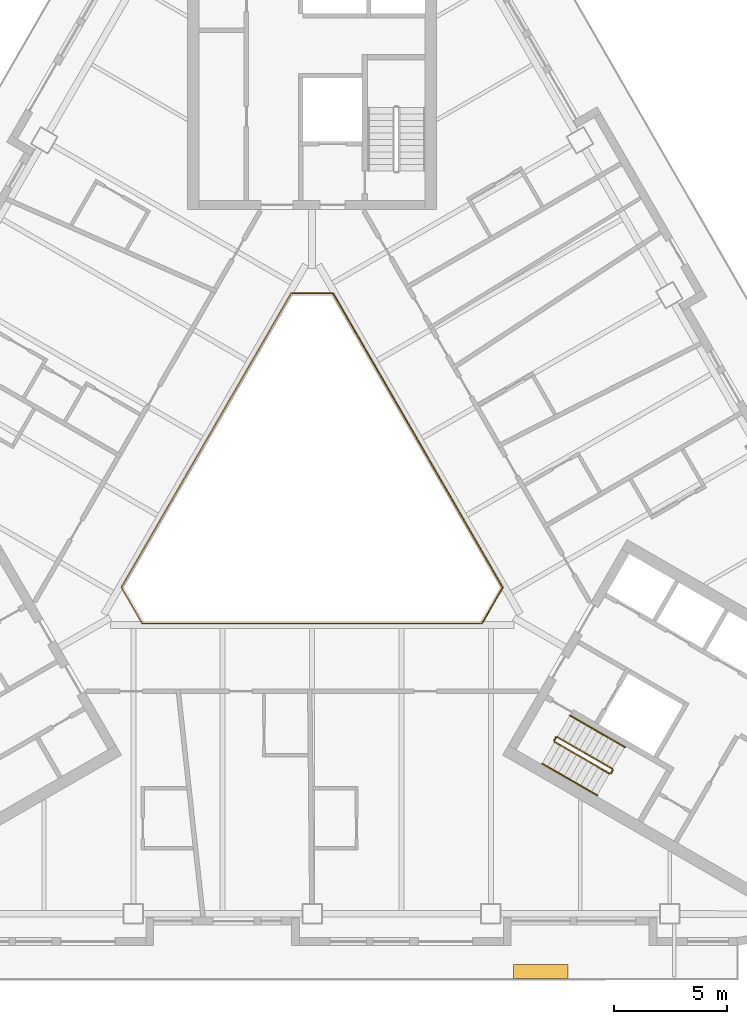
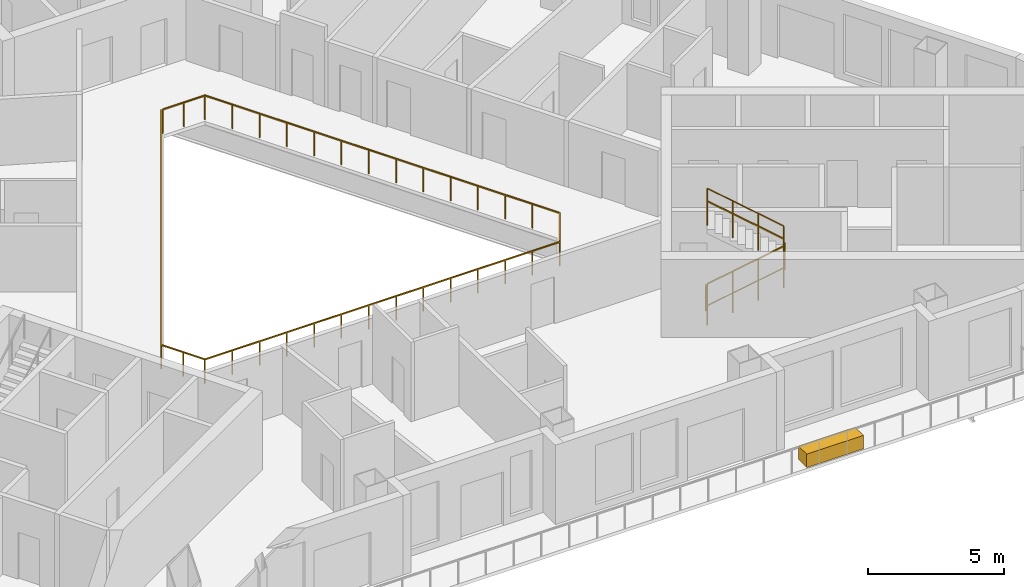
# One storey, part 12 of 14: 8 railings, 1 covering.
"""IFC4 building model written with IfcOpenShell, lengths in metres."""

from ifc_helpers import new_model, si_unit, direction, frame, origin, origin_2d, place, context, subcontext, project, spatial, rectangle, circle, extrude, material, type_object, element, save


model = new_model("IFC4")

# Units and contexts
model_context = context("Model", 3, precision=1e-05, world=origin(), true_north=direction((0.0, 1.0)))
body_context = subcontext(model_context, "Body", "Model", "MODEL_VIEW")
ifc_project = project(units=[si_unit("LENGTHUNIT", "METRE"), si_unit("AREAUNIT", "SQUARE_METRE"), si_unit("VOLUMEUNIT", "CUBIC_METRE"), si_unit("PLANEANGLEUNIT", "RADIAN"), si_unit("MASSUNIT", "GRAM", prefix="KILO")], contexts=[model_context])

# Site, building, storey
site_placement = place(None, origin())
site = spatial("IfcSite", under=ifc_project, at=site_placement, CompositionType="ELEMENT")
building_placement = place(site_placement, origin())
building = spatial("IfcBuilding", under=site, at=building_placement, Name="Apuvela Tower Hotel", CompositionType="ELEMENT")
storey_placement = place(building_placement, frame((0.0, 0.0, 116.800048828125)))
storey = spatial("IfcBuildingStorey", under=building, at=storey_placement, Name="L27", CompositionType="ELEMENT", Elevation=116.800048828125)

# Railings
ifc_material_1 = material(Name="Steel S275 balustrade", Category="steel")
railing_type_1 = type_object("IfcRailingType", Name="COR-GUARD-1100", PredefinedType="GUARDRAIL", material=ifc_material_1)
railing_1_placement = place(storey_placement, frame((10.718994140625, -10.63427734375, 0.168212890625)))
element("IfcRailing", 1, at=railing_1_placement, inside=storey, type_object=railing_type_1, Name="L27 ST3 stair guard 1", PredefinedType="GUARDRAIL", context=body_context, shape_type="SweptSolid", body=[
    extrude(rectangle(XDim=0.048095703125, YDim=0.048095703125, at=origin_2d()), frame((0.0, 0.0, 1.076171875), z_axis=(0.74241905619, -0.428617687091, 0.514879426), x_axis=(0.49998411664, 0.866034573852, 0.0)), (0.0, 0.0, 1.0), 3.26611328125),
    extrude(rectangle(XDim=0.0419921875, YDim=0.0419921875, at=origin_2d()), origin(), (0.0, 0.0, 1.0), 1.052001953125),
    extrude(rectangle(XDim=0.0419921875, YDim=0.0419921875, at=origin_2d()), frame((0.808349609375, -0.466552734375, 0.560546875)), (0.0, 0.0, 1.0), 1.052001953125),
    extrude(rectangle(XDim=0.0419921875, YDim=0.0419921875, at=origin_2d()), frame((1.616455078125, -0.933349609375, 1.12109375)), (0.0, 0.0, 1.0), 1.052001953125),
    extrude(rectangle(XDim=0.0419921875, YDim=0.0419921875, at=origin_2d()), frame((2.4248046875, -1.39990234375, 1.681640625)), (0.0, 0.0, 1.0), 1.052001953125),
])
railing_2_placement = place(storey_placement, frame((13.212158203125, -12.015869140625, 1.849853515625)))
element("IfcRailing", 2, at=railing_2_placement, inside=storey, type_object=railing_type_1, Name="L27 ST3 stair guard 2", PredefinedType="GUARDRAIL", context=body_context, shape_type="SweptSolid", body=[
    extrude(rectangle(XDim=0.048095703125, YDim=0.048095703125, at=origin_2d()), frame((0.0, 0.0, 1.076171875), z_axis=(0.499816412211, 0.866131372301, 0.0), x_axis=(-0.866131372301, 0.499816412211, 0.0)), (0.0, 0.0, 1.0), 0.14990234375),
    extrude(rectangle(XDim=0.0419921875, YDim=0.0419921875, at=origin_2d()), origin(), (0.0, 0.0, 1.0), 1.052001953125),
    extrude(rectangle(XDim=0.0419921875, YDim=0.0419921875, at=origin_2d()), frame((0.074951171875, 0.1298828125, 0.0)), (0.0, 0.0, 1.0), 1.052001953125),
])
railing_3_placement = place(storey_placement, frame((13.268798828125, -11.817626953125, 2.01806640625)))
element("IfcRailing", 3, at=railing_3_placement, inside=storey, type_object=railing_type_1, Name="L27 ST3 stair guard 3", PredefinedType="GUARDRAIL", context=body_context, shape_type="SweptSolid", body=[
    extrude(rectangle(XDim=0.048095703125, YDim=0.048095703125, at=origin_2d()), frame((0.0, 0.0, 1.076171875), z_axis=(-0.742390482028, 0.42860119049, 0.514934356695), x_axis=(-0.49998411664, -0.866034573852, 0.0)), (0.0, 0.0, 1.0), 3.26611328125),
    extrude(rectangle(XDim=0.0419921875, YDim=0.0419921875, at=origin_2d()), origin(), (0.0, 0.0, 1.0), 1.052001953125),
    extrude(rectangle(XDim=0.0419921875, YDim=0.0419921875, at=origin_2d()), frame((-0.808349609375, 0.466552734375, 0.560546875)), (0.0, 0.0, 1.0), 1.052001953125),
    extrude(rectangle(XDim=0.0419921875, YDim=0.0419921875, at=origin_2d()), frame((-1.616455078125, 0.933349609375, 1.121337890625)), (0.0, 0.0, 1.0), 1.052001953125),
    extrude(rectangle(XDim=0.0419921875, YDim=0.0419921875, at=origin_2d()), frame((-2.4248046875, 1.39990234375, 1.681884765625)), (0.0, 0.0, 1.0), 1.052001953125),
])
railing_4_placement = place(storey_placement, frame((10.70068359375, -10.56591796875, 0.0)))
element("IfcRailing", 4, at=railing_4_placement, inside=storey, type_object=railing_type_1, Name="L27 ST3 stair guard 4", PredefinedType="GUARDRAIL", context=body_context, shape_type="SweptSolid", body=[
    extrude(rectangle(XDim=0.048095703125, YDim=0.048095703125, at=origin_2d()), frame((0.0, 0.0, 1.076171875), z_axis=(0.499816412211, 0.866131372301, 0.0), x_axis=(-0.866131372301, 0.499816412211, 0.0)), (0.0, 0.0, 1.0), 0.14990234375),
    extrude(rectangle(XDim=0.0419921875, YDim=0.0419921875, at=origin_2d()), origin(), (0.0, 0.0, 1.0), 1.052001953125),
    extrude(rectangle(XDim=0.0419921875, YDim=0.0419921875, at=origin_2d()), frame((0.074951171875, 0.1298828125, 0.0)), (0.0, 0.0, 1.0), 1.052001953125),
])
ifc_material_2 = material(Name="Stainless steel 316 handrail", Category="steel")
railing_type_2 = type_object("IfcRailingType", Name="COR-HANDRAIL-900", PredefinedType="HANDRAIL", material=ifc_material_2)
railing_5_placement = place(storey_placement, frame((10.1689453125, -11.5869140625, 0.168212890625)))
element("IfcRailing", 5, at=railing_5_placement, inside=storey, type_object=railing_type_2, Name="L27 ST3 stair handrail 1", PredefinedType="HANDRAIL", context=body_context, shape_type="SweptSolid", body=[
    extrude(circle(Radius=0.02392578125, at=origin_2d()), frame((0.0, 0.0, 0.8759765625), z_axis=(0.74241905619, -0.428617687091, 0.514879426), x_axis=(0.49998411664, 0.866034573852, 0.0)), (0.0, 0.0, 1.0), 3.26611328125),
    extrude(rectangle(XDim=0.0419921875, YDim=0.0419921875, at=origin_2d()), origin(), (0.0, 0.0, 1.0), 0.851806640625),
    extrude(rectangle(XDim=0.0419921875, YDim=0.0419921875, at=origin_2d()), frame((0.808349609375, -0.466552734375, 0.560546875)), (0.0, 0.0, 1.0), 0.851806640625),
    extrude(rectangle(XDim=0.0419921875, YDim=0.0419921875, at=origin_2d()), frame((1.616455078125, -0.933349609375, 1.12109375)), (0.0, 0.0, 1.0), 0.851806640625),
    extrude(rectangle(XDim=0.0419921875, YDim=0.0419921875, at=origin_2d()), frame((2.4248046875, -1.39990234375, 1.681640625)), (0.0, 0.0, 1.0), 0.851806640625),
])
railing_6_placement = place(storey_placement, frame((13.81884765625, -10.864990234375, 2.01806640625)))
element("IfcRailing", 6, at=railing_6_placement, inside=storey, type_object=railing_type_2, Name="L27 ST3 stair handrail 2", PredefinedType="HANDRAIL", context=body_context, shape_type="SweptSolid", body=[
    extrude(circle(Radius=0.02392578125, at=origin_2d()), frame((0.0, 0.0, 0.8759765625), z_axis=(-0.742390482028, 0.42860119049, 0.514934356695), x_axis=(-0.49998411664, -0.866034573852, 0.0)), (0.0, 0.0, 1.0), 3.26611328125),
    extrude(rectangle(XDim=0.0419921875, YDim=0.0419921875, at=origin_2d()), origin(), (0.0, 0.0, 1.0), 0.851806640625),
    extrude(rectangle(XDim=0.0419921875, YDim=0.0419921875, at=origin_2d()), frame((-0.808349609375, 0.466552734375, 0.560546875)), (0.0, 0.0, 1.0), 0.851806640625),
    extrude(rectangle(XDim=0.0419921875, YDim=0.0419921875, at=origin_2d()), frame((-1.616455078125, 0.933349609375, 1.121337890625)), (0.0, 0.0, 1.0), 0.851806640625),
    extrude(rectangle(XDim=0.0419921875, YDim=0.0419921875, at=origin_2d()), frame((-2.4248046875, 1.39990234375, 1.681884765625)), (0.0, 0.0, 1.0), 0.851806640625),
])
ifc_material_3 = material(Name="Stainless steel 316 rail with laminated glass infill", Category="steel")
railing_type_3 = type_object("IfcRailingType", Name="ENV-GUARD-1100", PredefinedType="GUARDRAIL", material=ifc_material_3)
railing_7_placement = place(storey_placement, frame((-0.923828125, 9.199951171875, 0.0)))
element("IfcRailing", 7, at=railing_7_placement, inside=storey, type_object=railing_type_3, Name="Atrium void guard A L27", PredefinedType="GUARDRAIL", context=body_context, shape_type="SweptSolid", body=[
    extrude(rectangle(XDim=0.050048828125, YDim=0.050048828125, at=origin_2d()), frame((0.0, 0.0, 1.0751953125), z_axis=(-0.499990886379, -0.866030665472, 0.0), x_axis=(0.866030665472, -0.499990886379, 0.0)), (0.0, 0.0, 1.0), 15.010986328125),
    extrude(rectangle(XDim=0.050048828125, YDim=0.050048828125, at=origin_2d()), frame((-7.50537109375, -13.0, 1.0751953125), z_axis=(0.499962699187, -0.866046938348, 0.0), x_axis=(0.866046938348, 0.499962699187, 0.0)), (0.0, 0.0, 1.0), 1.847412109375),
    extrude(rectangle(XDim=0.050048828125, YDim=0.050048828125, at=origin_2d()), frame((-6.581787109375, -14.599853515625, 1.0751953125), z_axis=(1.0, 0.0, 0.0), x_axis=(0.0, 1.0, 0.0)), (0.0, 0.0, 1.0), 15.01123046875),
    extrude(rectangle(XDim=0.0400390625, YDim=0.0400390625, at=origin_2d()), origin(), (0.0, 0.0, 1.0), 1.050048828125),
    extrude(rectangle(XDim=0.0400390625, YDim=0.0400390625, at=origin_2d()), frame((-0.577392578125, -1.0, 0.0)), (0.0, 0.0, 1.0), 1.050048828125),
    extrude(rectangle(XDim=0.0400390625, YDim=0.0400390625, at=origin_2d()), frame((-1.15478515625, -2.0, 0.0)), (0.0, 0.0, 1.0), 1.050048828125),
    extrude(rectangle(XDim=0.0400390625, YDim=0.0400390625, at=origin_2d()), frame((-1.73193359375, -3.0, 0.0)), (0.0, 0.0, 1.0), 1.050048828125),
    extrude(rectangle(XDim=0.0400390625, YDim=0.0400390625, at=origin_2d()), frame((-2.309326171875, -4.0, 0.0)), (0.0, 0.0, 1.0), 1.050048828125),
    extrude(rectangle(XDim=0.0400390625, YDim=0.0400390625, at=origin_2d()), frame((-2.88671875, -5.0, 0.0)), (0.0, 0.0, 1.0), 1.050048828125),
    extrude(rectangle(XDim=0.0400390625, YDim=0.0400390625, at=origin_2d()), frame((-3.464111328125, -6.0, 0.0)), (0.0, 0.0, 1.0), 1.050048828125),
    extrude(rectangle(XDim=0.0400390625, YDim=0.0400390625, at=origin_2d()), frame((-4.041259765625, -7.0, 0.0)), (0.0, 0.0, 1.0), 1.050048828125),
    extrude(rectangle(XDim=0.0400390625, YDim=0.0400390625, at=origin_2d()), frame((-4.61865234375, -8.0, 0.0)), (0.0, 0.0, 1.0), 1.050048828125),
    extrude(rectangle(XDim=0.0400390625, YDim=0.0400390625, at=origin_2d()), frame((-5.196044921875, -9.0, 0.0)), (0.0, 0.0, 1.0), 1.050048828125),
    extrude(rectangle(XDim=0.0400390625, YDim=0.0400390625, at=origin_2d()), frame((-5.7734375, -10.0, 0.0)), (0.0, 0.0, 1.0), 1.050048828125),
    extrude(rectangle(XDim=0.0400390625, YDim=0.0400390625, at=origin_2d()), frame((-6.3505859375, -11.0, 0.0)), (0.0, 0.0, 1.0), 1.050048828125),
    extrude(rectangle(XDim=0.0400390625, YDim=0.0400390625, at=origin_2d()), frame((-6.927978515625, -12.0, 0.0)), (0.0, 0.0, 1.0), 1.050048828125),
    extrude(rectangle(XDim=0.0400390625, YDim=0.0400390625, at=origin_2d()), frame((-7.50537109375, -13.0, 0.0)), (0.0, 0.0, 1.0), 1.050048828125),
    extrude(rectangle(XDim=0.0400390625, YDim=0.0400390625, at=origin_2d()), frame((-7.04345703125, -13.7998046875, 0.0)), (0.0, 0.0, 1.0), 1.050048828125),
    extrude(rectangle(XDim=0.0400390625, YDim=0.0400390625, at=origin_2d()), frame((-6.581787109375, -14.599853515625, 0.0)), (0.0, 0.0, 1.0), 1.050048828125),
    extrude(rectangle(XDim=0.0400390625, YDim=0.0400390625, at=origin_2d()), frame((-5.427001953125, -14.599853515625, 0.0)), (0.0, 0.0, 1.0), 1.050048828125),
    extrude(rectangle(XDim=0.0400390625, YDim=0.0400390625, at=origin_2d()), frame((-4.2724609375, -14.599853515625, 0.0)), (0.0, 0.0, 1.0), 1.050048828125),
    extrude(rectangle(XDim=0.0400390625, YDim=0.0400390625, at=origin_2d()), frame((-3.11767578125, -14.599853515625, 0.0)), (0.0, 0.0, 1.0), 1.050048828125),
    extrude(rectangle(XDim=0.0400390625, YDim=0.0400390625, at=origin_2d()), frame((-1.962890625, -14.599853515625, 0.0)), (0.0, 0.0, 1.0), 1.050048828125),
    extrude(rectangle(XDim=0.0400390625, YDim=0.0400390625, at=origin_2d()), frame((-0.808349609375, -14.599853515625, 0.0)), (0.0, 0.0, 1.0), 1.050048828125),
    extrude(rectangle(XDim=0.0400390625, YDim=0.0400390625, at=origin_2d()), frame((0.346435546875, -14.599853515625, 0.0)), (0.0, 0.0, 1.0), 1.050048828125),
    extrude(rectangle(XDim=0.0400390625, YDim=0.0400390625, at=origin_2d()), frame((1.501220703125, -14.599853515625, 0.0)), (0.0, 0.0, 1.0), 1.050048828125),
    extrude(rectangle(XDim=0.0400390625, YDim=0.0400390625, at=origin_2d()), frame((2.656005859375, -14.599853515625, 0.0)), (0.0, 0.0, 1.0), 1.050048828125),
    extrude(rectangle(XDim=0.0400390625, YDim=0.0400390625, at=origin_2d()), frame((3.810546875, -14.599853515625, 0.0)), (0.0, 0.0, 1.0), 1.050048828125),
    extrude(rectangle(XDim=0.0400390625, YDim=0.0400390625, at=origin_2d()), frame((4.96533203125, -14.599853515625, 0.0)), (0.0, 0.0, 1.0), 1.050048828125),
    extrude(rectangle(XDim=0.0400390625, YDim=0.0400390625, at=origin_2d()), frame((6.1201171875, -14.599853515625, 0.0)), (0.0, 0.0, 1.0), 1.050048828125),
    extrude(rectangle(XDim=0.0400390625, YDim=0.0400390625, at=origin_2d()), frame((7.274658203125, -14.599853515625, 0.0)), (0.0, 0.0, 1.0), 1.050048828125),
    extrude(rectangle(XDim=0.0400390625, YDim=0.0400390625, at=origin_2d()), frame((8.429443359375, -14.599853515625, 0.0)), (0.0, 0.0, 1.0), 1.050048828125),
])
railing_8_placement = place(storey_placement, frame((7.53564453125, -5.347900390625, 0.0)))
element("IfcRailing", 8, at=railing_8_placement, inside=storey, type_object=railing_type_3, Name="Atrium void guard B L27", PredefinedType="GUARDRAIL", context=body_context, shape_type="SweptSolid", body=[
    extrude(rectangle(XDim=0.050048828125, YDim=0.050048828125, at=origin_2d()), frame((0.0, 0.0, 1.0751953125), z_axis=(0.499958946799, 0.866049104564, 0.0), x_axis=(-0.866049104564, 0.499958946799, 0.0)), (0.0, 0.0, 1.0), 1.787353515625),
    extrude(rectangle(XDim=0.050048828125, YDim=0.050048828125, at=origin_2d()), frame((0.8935546875, 1.5478515625, 1.0751953125), z_axis=(-0.499990886379, 0.866030665472, 0.0), x_axis=(-0.866030665472, -0.499990886379, 0.0)), (0.0, 0.0, 1.0), 15.010986328125),
    extrude(rectangle(XDim=0.050048828125, YDim=0.050048828125, at=origin_2d()), frame((-6.61181640625, 14.5478515625, 1.0751953125), z_axis=(-1.0, 0.0, 0.0), x_axis=(0.0, -1.0, 0.0)), (0.0, 0.0, 1.0), 1.78759765625),
    extrude(rectangle(XDim=0.0400390625, YDim=0.0400390625, at=origin_2d()), origin(), (0.0, 0.0, 1.0), 1.050048828125),
    extrude(rectangle(XDim=0.0400390625, YDim=0.0400390625, at=origin_2d()), frame((0.44677734375, 0.77392578125, 0.0)), (0.0, 0.0, 1.0), 1.050048828125),
    extrude(rectangle(XDim=0.0400390625, YDim=0.0400390625, at=origin_2d()), frame((0.8935546875, 1.5478515625, 0.0)), (0.0, 0.0, 1.0), 1.050048828125),
    extrude(rectangle(XDim=0.0400390625, YDim=0.0400390625, at=origin_2d()), frame((0.316162109375, 2.5478515625, 0.0)), (0.0, 0.0, 1.0), 1.050048828125),
    extrude(rectangle(XDim=0.0400390625, YDim=0.0400390625, at=origin_2d()), frame((-0.26123046875, 3.5478515625, 0.0)), (0.0, 0.0, 1.0), 1.050048828125),
    extrude(rectangle(XDim=0.0400390625, YDim=0.0400390625, at=origin_2d()), frame((-0.83837890625, 4.5478515625, 0.0)), (0.0, 0.0, 1.0), 1.050048828125),
    extrude(rectangle(XDim=0.0400390625, YDim=0.0400390625, at=origin_2d()), frame((-1.415771484375, 5.5478515625, 0.0)), (0.0, 0.0, 1.0), 1.050048828125),
    extrude(rectangle(XDim=0.0400390625, YDim=0.0400390625, at=origin_2d()), frame((-1.9931640625, 6.5478515625, 0.0)), (0.0, 0.0, 1.0), 1.050048828125),
    extrude(rectangle(XDim=0.0400390625, YDim=0.0400390625, at=origin_2d()), frame((-2.570556640625, 7.5478515625, 0.0)), (0.0, 0.0, 1.0), 1.050048828125),
    extrude(rectangle(XDim=0.0400390625, YDim=0.0400390625, at=origin_2d()), frame((-3.147705078125, 8.5478515625, 0.0)), (0.0, 0.0, 1.0), 1.050048828125),
    extrude(rectangle(XDim=0.0400390625, YDim=0.0400390625, at=origin_2d()), frame((-3.72509765625, 9.5478515625, 0.0)), (0.0, 0.0, 1.0), 1.050048828125),
    extrude(rectangle(XDim=0.0400390625, YDim=0.0400390625, at=origin_2d()), frame((-4.302490234375, 10.5478515625, 0.0)), (0.0, 0.0, 1.0), 1.050048828125),
    extrude(rectangle(XDim=0.0400390625, YDim=0.0400390625, at=origin_2d()), frame((-4.8798828125, 11.5478515625, 0.0)), (0.0, 0.0, 1.0), 1.050048828125),
    extrude(rectangle(XDim=0.0400390625, YDim=0.0400390625, at=origin_2d()), frame((-5.45703125, 12.5478515625, 0.0)), (0.0, 0.0, 1.0), 1.050048828125),
    extrude(rectangle(XDim=0.0400390625, YDim=0.0400390625, at=origin_2d()), frame((-6.034423828125, 13.5478515625, 0.0)), (0.0, 0.0, 1.0), 1.050048828125),
    extrude(rectangle(XDim=0.0400390625, YDim=0.0400390625, at=origin_2d()), frame((-6.61181640625, 14.5478515625, 0.0)), (0.0, 0.0, 1.0), 1.050048828125),
    extrude(rectangle(XDim=0.0400390625, YDim=0.0400390625, at=origin_2d()), frame((-7.505615234375, 14.5478515625, 0.0)), (0.0, 0.0, 1.0), 1.050048828125),
    extrude(rectangle(XDim=0.0400390625, YDim=0.0400390625, at=origin_2d()), frame((-8.3994140625, 14.5478515625, 0.0)), (0.0, 0.0, 1.0), 1.050048828125),
])

# Covering
ifc_material_4 = material(Name="Planting substrate and soil, planted")
covering_type = type_object("IfcCoveringType", Name="ENV-PLANTER-2400x600", PredefinedType="USERDEFINED", material=ifc_material_4)
covering_placement = place(storey_placement, frame((10.10009765625, -20.780029296875, 0.0), z_axis=(0.0, 0.0, 1.0), x_axis=(1.0, 0.0, 0.0)))
element("IfcCovering", 9, at=covering_placement, inside=storey, type_object=covering_type, Name="Planter S2", ObjectType="PLANTER", PredefinedType="USERDEFINED", context=body_context, shape_type="SweptSolid", body=[
    extrude(rectangle(XDim=2.39990234375, YDim=0.60009765625, at=origin_2d()), origin(), (0.0, 0.0, 1.0), 0.60009765625),
])

save(model, "model.ifc")
